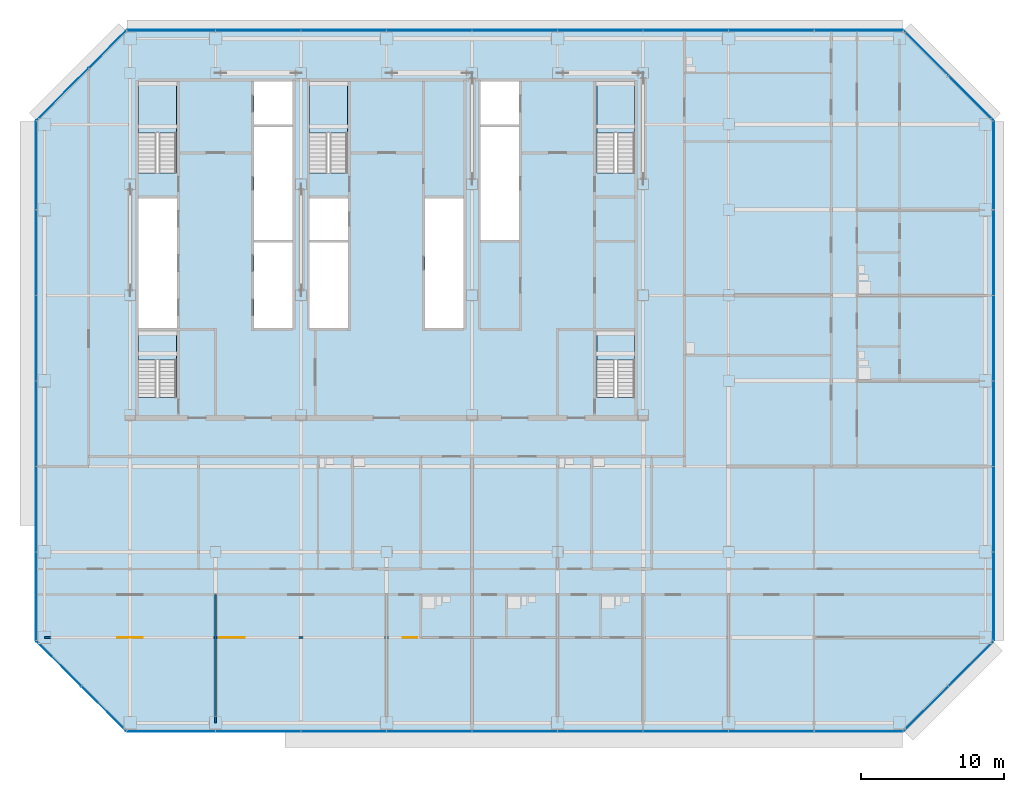
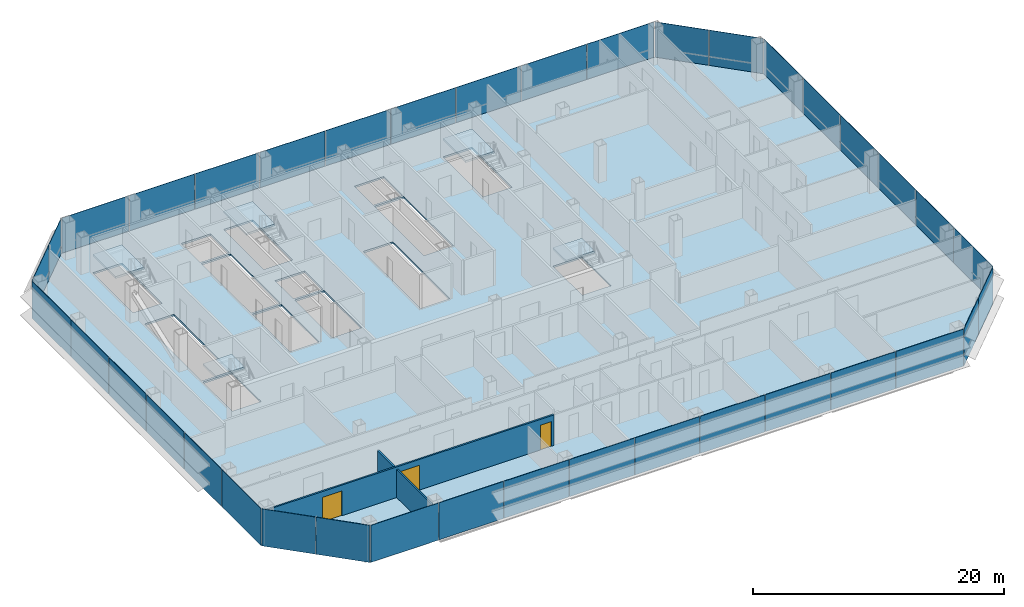
# One storey, part 19 of 26: 38 plates, 6 slabs, 3 doors, 2 walls, 3 openings, 13 elements without a shape of their own.
"""IFC4 building model written with IfcOpenShell, lengths in metres."""

from ifc_helpers import new_model, si_unit, direction, frame, frame_2d, origin, origin_2d, place, context, subcontext, project, spatial, polyline, rectangle, outline, extrude, material, layer, layer_set, type_object, element, fill, aggregate, save


model = new_model("IFC4")

# Units and contexts
model_context = context("Model", 3, precision=1e-05, world=origin(), true_north=direction((0.0, 1.0)))
body_context = subcontext(model_context, "Body", "Model", "MODEL_VIEW")
ifc_project = project(units=[si_unit("LENGTHUNIT", "METRE"), si_unit("AREAUNIT", "SQUARE_METRE"), si_unit("VOLUMEUNIT", "CUBIC_METRE"), si_unit("PLANEANGLEUNIT", "RADIAN"), si_unit("MASSUNIT", "GRAM", prefix="KILO")], contexts=[model_context])

# Site, building, storey
site_placement = place(None, origin())
site = spatial("IfcSite", under=ifc_project, at=site_placement, CompositionType="ELEMENT")
building_placement = place(site_placement, origin())
building = spatial("IfcBuilding", under=site, at=building_placement, Name="Sorahane Residences", CompositionType="ELEMENT")
storey_placement = place(building_placement, frame((0.0, 0.0, 64.199951171875)))
storey = spatial("IfcBuildingStorey", under=building, at=storey_placement, Name="L12", CompositionType="ELEMENT", Elevation=64.199951171875)

# Slab
ifc_material_1 = material(Name="Concrete C35", Category="concrete")
ifc_layer_1 = layer(ifc_material_1, 0.179931640625)
ifc_layer_set_1 = layer_set([ifc_layer_1], Name="Composite floor slab 180 mm Concrete C35")
slab_type_1 = type_object("IfcSlabType", Name="Composite floor slab 180 mm Concrete C35", PredefinedType="FLOOR", material=ifc_layer_set_1)
slab_1_placement = place(storey_placement, frame((0.0, 0.0, -0.179931640625)))
element("IfcSlab", 1, at=slab_1_placement, inside=storey, type_object=slab_type_1, Name="Slab L12", PredefinedType="FLOOR", context=body_context, shape_type="SweptSolid", body=[
    extrude(outline(polyline([(5.75146484375, -0.60009765625), (-0.60009765625, 5.75146484375), (-0.60009765625, 42.24853515625), (5.75146484375, 48.60009765625), (60.24853515625, 48.60009765625), (66.60009765625, 42.24853515625), (66.60009765625, 5.75146484375), (60.24853515625, -0.60009765625), (5.75146484375, -0.60009765625)]), holes=[polyline([(18.60009765625, 27.699951171875), (21.300048828125, 27.699951171875), (21.300048828125, 33.699951171875), (18.60009765625, 33.699951171875), (18.60009765625, 27.699951171875)]), polyline([(30.60009765625, 42.0), (33.300048828125, 42.0), (33.300048828125, 45.0), (30.60009765625, 45.0), (30.60009765625, 42.0)]), polyline([(14.699951171875, 27.699951171875), (17.39990234375, 27.699951171875), (17.39990234375, 33.699951171875), (14.699951171875, 33.699951171875), (14.699951171875, 27.699951171875)]), polyline([(14.699951171875, 42.0), (17.39990234375, 42.0), (17.39990234375, 45.0), (14.699951171875, 45.0), (14.699951171875, 42.0)]), polyline([(6.60009765625, 27.699951171875), (9.300048828125, 27.699951171875), (9.300048828125, 36.800048828125), (6.60009765625, 36.800048828125), (6.60009765625, 27.699951171875)]), polyline([(9.25, 38.60009765625), (9.25, 45.0), (6.60009765625, 45.0), (6.60009765625, 38.60009765625), (9.25, 38.60009765625)]), polyline([(41.39990234375, 38.60009765625), (41.39990234375, 45.0), (38.75, 45.0), (38.75, 38.60009765625), (41.39990234375, 38.60009765625)]), polyline([(21.25, 38.60009765625), (21.25, 45.0), (18.60009765625, 45.0), (18.60009765625, 38.60009765625), (21.25, 38.60009765625)]), polyline([(9.25, 22.85009765625), (9.25, 27.5), (6.60009765625, 27.5), (6.60009765625, 22.85009765625), (9.25, 22.85009765625)]), polyline([(41.39990234375, 22.85009765625), (41.39990234375, 27.5), (38.75, 27.5), (38.75, 22.85009765625), (41.39990234375, 22.85009765625)]), polyline([(14.699951171875, 33.89990234375), (17.39990234375, 33.89990234375), (17.39990234375, 41.800048828125), (14.699951171875, 41.800048828125), (14.699951171875, 33.89990234375)]), polyline([(30.60009765625, 33.89990234375), (33.300048828125, 33.89990234375), (33.300048828125, 41.800048828125), (30.60009765625, 41.800048828125), (30.60009765625, 33.89990234375)]), polyline([(18.60009765625, 33.89990234375), (21.300048828125, 33.89990234375), (21.300048828125, 36.800048828125), (18.60009765625, 36.800048828125), (18.60009765625, 33.89990234375)]), polyline([(26.699951171875, 27.699951171875), (29.39990234375, 27.699951171875), (29.39990234375, 36.800048828125), (26.699951171875, 36.800048828125), (26.699951171875, 27.699951171875)])]), origin(), (0.0, 0.0, 1.0), 0.179931640625),
])

# Curtain wall, plates
ifc_material_2 = material(Name="Dark low-e glass and black anodised aluminium", Category="aluminium")
curtain_wall_type_1 = type_object("IfcCurtainWallType", Name="Curtain wall CW-1 Typical unitised wall", PredefinedType="NOTDEFINED", material=ifc_material_2)
curtain_wall_1_placement = place(storey_placement, origin())
curtain_wall_1 = element("IfcCurtainWall", 2, at=curtain_wall_1_placement, inside=storey, type_object=curtain_wall_type_1, Name="CW-1 curtain wall L12 S1", PredefinedType="NOTDEFINED")
ifc_material_3 = material(Name="Dark low-e glass with black ceramic frit", Category="glass")
ifc_layer_2 = layer(ifc_material_3, 0.0400390625)
ifc_layer_set_2 = layer_set([ifc_layer_2], Name="Curtain wall glass panel dark low-e with black frit spandrel band")
plate_type = type_object("IfcPlateType", Name="Curtain wall glass panel dark low-e with black frit spandrel band", PredefinedType="CURTAIN_PANEL", material=ifc_layer_set_2)
plate_1_placement = place(storey_placement, frame((8.88818359375, -0.60009765625, -0.179931640625), z_axis=(0.0, 0.0, 1.0), x_axis=(1.0, 0.0, 0.0)))
plate_1 = element("IfcPlate", 3, at=plate_1_placement, type_object=plate_type, Name="CW-1 glass panel L12 S1.1", PredefinedType="CURTAIN_PANEL", context=body_context, shape_type="SweptSolid", body=[
    extrude(rectangle(XDim=6.173583984375, YDim=0.0400390625, at=origin_2d()), origin(), (0.0, 0.0, 1.0), 3.60009765625),
])
plate_2_placement = place(storey_placement, frame((15.0, -0.60009765625, -0.179931640625), z_axis=(0.0, 0.0, 1.0), x_axis=(1.0, 0.0, 0.0)))
plate_2 = element("IfcPlate", 4, at=plate_2_placement, type_object=plate_type, Name="CW-1 glass panel L12 S1.2", PredefinedType="CURTAIN_PANEL", context=body_context, shape_type="SweptSolid", body=[
    extrude(rectangle(XDim=5.949951171875, YDim=0.0400390625, at=origin_2d()), origin(), (0.0, 0.0, 1.0), 3.60009765625),
])
plate_3_placement = place(storey_placement, frame((21.0, -0.60009765625, -0.179931640625), z_axis=(0.0, 0.0, 1.0), x_axis=(1.0, 0.0, 0.0)))
plate_3 = element("IfcPlate", 5, at=plate_3_placement, type_object=plate_type, Name="CW-1 glass panel L12 S1.3", PredefinedType="CURTAIN_PANEL", context=body_context, shape_type="SweptSolid", body=[
    extrude(rectangle(XDim=5.949951171875, YDim=0.0400390625, at=origin_2d()), origin(), (0.0, 0.0, 1.0), 3.60009765625),
])
plate_4_placement = place(storey_placement, frame((27.0, -0.60009765625, -0.179931640625), z_axis=(0.0, 0.0, 1.0), x_axis=(1.0, 0.0, 0.0)))
plate_4 = element("IfcPlate", 6, at=plate_4_placement, type_object=plate_type, Name="CW-1 glass panel L12 S1.4", PredefinedType="CURTAIN_PANEL", context=body_context, shape_type="SweptSolid", body=[
    extrude(rectangle(XDim=5.949951171875, YDim=0.0400390625, at=origin_2d()), origin(), (0.0, 0.0, 1.0), 3.60009765625),
])
plate_5_placement = place(storey_placement, frame((33.0, -0.60009765625, -0.179931640625), z_axis=(0.0, 0.0, 1.0), x_axis=(1.0, 0.0, 0.0)))
plate_5 = element("IfcPlate", 7, at=plate_5_placement, type_object=plate_type, Name="CW-1 glass panel L12 S1.5", PredefinedType="CURTAIN_PANEL", context=body_context, shape_type="SweptSolid", body=[
    extrude(rectangle(XDim=5.949951171875, YDim=0.0400390625, at=origin_2d()), origin(), (0.0, 0.0, 1.0), 3.60009765625),
])
plate_6_placement = place(storey_placement, frame((39.0, -0.60009765625, -0.179931640625), z_axis=(0.0, 0.0, 1.0), x_axis=(1.0, 0.0, 0.0)))
plate_6 = element("IfcPlate", 8, at=plate_6_placement, type_object=plate_type, Name="CW-1 glass panel L12 S1.6", PredefinedType="CURTAIN_PANEL", context=body_context, shape_type="SweptSolid", body=[
    extrude(rectangle(XDim=5.949951171875, YDim=0.0400390625, at=origin_2d()), origin(), (0.0, 0.0, 1.0), 3.60009765625),
])
plate_7_placement = place(storey_placement, frame((45.0, -0.60009765625, -0.179931640625), z_axis=(0.0, 0.0, 1.0), x_axis=(1.0, 0.0, 0.0)))
plate_7 = element("IfcPlate", 9, at=plate_7_placement, type_object=plate_type, Name="CW-1 glass panel L12 S1.7", PredefinedType="CURTAIN_PANEL", context=body_context, shape_type="SweptSolid", body=[
    extrude(rectangle(XDim=5.949951171875, YDim=0.0400390625, at=origin_2d()), origin(), (0.0, 0.0, 1.0), 3.60009765625),
])
plate_8_placement = place(storey_placement, frame((51.0, -0.60009765625, -0.179931640625), z_axis=(0.0, 0.0, 1.0), x_axis=(1.0, 0.0, 0.0)))
plate_8 = element("IfcPlate", 10, at=plate_8_placement, type_object=plate_type, Name="CW-1 glass panel L12 S1.8", PredefinedType="CURTAIN_PANEL", context=body_context, shape_type="SweptSolid", body=[
    extrude(rectangle(XDim=5.949951171875, YDim=0.0400390625, at=origin_2d()), origin(), (0.0, 0.0, 1.0), 3.60009765625),
])
plate_9_placement = place(storey_placement, frame((57.11181640625, -0.60009765625, -0.179931640625), z_axis=(0.0, 0.0, 1.0), x_axis=(1.0, 0.0, 0.0)))
plate_9 = element("IfcPlate", 11, at=plate_9_placement, type_object=plate_type, Name="CW-1 glass panel L12 S1.9", PredefinedType="CURTAIN_PANEL", context=body_context, shape_type="SweptSolid", body=[
    extrude(rectangle(XDim=6.173583984375, YDim=0.0400390625, at=origin_2d()), origin(), (0.0, 0.0, 1.0), 3.60009765625),
])
aggregate(curtain_wall_1, [plate_1, plate_2, plate_3, plate_4, plate_5, plate_6, plate_7, plate_8, plate_9])

ifc_material_4 = material(Name="Dark low-e glass and black anodised aluminium", Category="aluminium")
curtain_wall_type_2 = type_object("IfcCurtainWallType", Name="Curtain wall CW-2 Chamfer unitised wall", PredefinedType="NOTDEFINED", material=ifc_material_4)
curtain_wall_2_placement = place(storey_placement, origin())
curtain_wall_2 = element("IfcCurtainWall", 12, at=curtain_wall_2_placement, inside=storey, type_object=curtain_wall_type_2, Name="CW-2 curtain wall L12 SE1", PredefinedType="NOTDEFINED")
plate_10_placement = place(storey_placement, frame((61.84521484375, 0.996826171875, -0.179931640625), z_axis=(0.0, 0.0, 1.0), x_axis=(0.707106781187, 0.707106781187, 0.0)))
plate_10 = element("IfcPlate", 13, at=plate_10_placement, type_object=plate_type, Name="CW-2 glass panel L12 SE1.1", PredefinedType="CURTAIN_PANEL", context=body_context, shape_type="SweptSolid", body=[
    extrude(rectangle(XDim=4.416259765625, YDim=0.0400390625, at=origin_2d()), origin(), (0.0, 0.0, 1.0), 3.60009765625),
])
plate_11_placement = place(storey_placement, frame((65.003173828125, 4.15478515625, -0.179931640625), z_axis=(0.0, 0.0, 1.0), x_axis=(0.707106781187, 0.707106781187, 0.0)))
plate_11 = element("IfcPlate", 14, at=plate_11_placement, type_object=plate_type, Name="CW-2 glass panel L12 SE1.2", PredefinedType="CURTAIN_PANEL", context=body_context, shape_type="SweptSolid", body=[
    extrude(rectangle(XDim=4.416259765625, YDim=0.0400390625, at=origin_2d()), origin(), (0.0, 0.0, 1.0), 3.60009765625),
])
aggregate(curtain_wall_2, [plate_10, plate_11])

curtain_wall_3_placement = place(storey_placement, origin())
curtain_wall_3 = element("IfcCurtainWall", 15, at=curtain_wall_3_placement, inside=storey, type_object=curtain_wall_type_1, Name="CW-1 curtain wall L12 E1", PredefinedType="NOTDEFINED")
plate_12_placement = place(storey_placement, frame((66.60009765625, 8.88818359375, -0.179931640625), z_axis=(0.0, 0.0, 1.0), x_axis=(0.0, 1.0, 0.0)))
plate_12 = element("IfcPlate", 16, at=plate_12_placement, type_object=plate_type, Name="CW-1 glass panel L12 E1.1", PredefinedType="CURTAIN_PANEL", context=body_context, shape_type="SweptSolid", body=[
    extrude(rectangle(XDim=6.173583984375, YDim=0.0400390625, at=origin_2d()), origin(), (0.0, 0.0, 1.0), 3.60009765625),
])
plate_13_placement = place(storey_placement, frame((66.60009765625, 15.0, -0.179931640625), z_axis=(0.0, 0.0, 1.0), x_axis=(0.0, 1.0, 0.0)))
plate_13 = element("IfcPlate", 17, at=plate_13_placement, type_object=plate_type, Name="CW-1 glass panel L12 E1.2", PredefinedType="CURTAIN_PANEL", context=body_context, shape_type="SweptSolid", body=[
    extrude(rectangle(XDim=5.949951171875, YDim=0.0400390625, at=origin_2d()), origin(), (0.0, 0.0, 1.0), 3.60009765625),
])
plate_14_placement = place(storey_placement, frame((66.60009765625, 21.0, -0.179931640625), z_axis=(0.0, 0.0, 1.0), x_axis=(0.0, 1.0, 0.0)))
plate_14 = element("IfcPlate", 18, at=plate_14_placement, type_object=plate_type, Name="CW-1 glass panel L12 E1.3", PredefinedType="CURTAIN_PANEL", context=body_context, shape_type="SweptSolid", body=[
    extrude(rectangle(XDim=5.949951171875, YDim=0.0400390625, at=origin_2d()), origin(), (0.0, 0.0, 1.0), 3.60009765625),
])
plate_15_placement = place(storey_placement, frame((66.60009765625, 27.0, -0.179931640625), z_axis=(0.0, 0.0, 1.0), x_axis=(0.0, 1.0, 0.0)))
plate_15 = element("IfcPlate", 19, at=plate_15_placement, type_object=plate_type, Name="CW-1 glass panel L12 E1.4", PredefinedType="CURTAIN_PANEL", context=body_context, shape_type="SweptSolid", body=[
    extrude(rectangle(XDim=5.949951171875, YDim=0.0400390625, at=origin_2d()), origin(), (0.0, 0.0, 1.0), 3.60009765625),
])
plate_16_placement = place(storey_placement, frame((66.60009765625, 33.0, -0.179931640625), z_axis=(0.0, 0.0, 1.0), x_axis=(0.0, 1.0, 0.0)))
plate_16 = element("IfcPlate", 20, at=plate_16_placement, type_object=plate_type, Name="CW-1 glass panel L12 E1.5", PredefinedType="CURTAIN_PANEL", context=body_context, shape_type="SweptSolid", body=[
    extrude(rectangle(XDim=5.949951171875, YDim=0.0400390625, at=origin_2d()), origin(), (0.0, 0.0, 1.0), 3.60009765625),
])
plate_17_placement = place(storey_placement, frame((66.60009765625, 39.11181640625, -0.179931640625), z_axis=(0.0, 0.0, 1.0), x_axis=(0.0, 1.0, 0.0)))
plate_17 = element("IfcPlate", 21, at=plate_17_placement, type_object=plate_type, Name="CW-1 glass panel L12 E1.6", PredefinedType="CURTAIN_PANEL", context=body_context, shape_type="SweptSolid", body=[
    extrude(rectangle(XDim=6.173583984375, YDim=0.0400390625, at=origin_2d()), origin(), (0.0, 0.0, 1.0), 3.60009765625),
])
aggregate(curtain_wall_3, [plate_12, plate_13, plate_14, plate_15, plate_16, plate_17])

curtain_wall_4_placement = place(storey_placement, origin())
curtain_wall_4 = element("IfcCurtainWall", 22, at=curtain_wall_4_placement, inside=storey, type_object=curtain_wall_type_2, Name="CW-2 curtain wall L12 NE1", PredefinedType="NOTDEFINED")
plate_18_placement = place(storey_placement, frame((65.003173828125, 43.84521484375, -0.179931640625), z_axis=(0.0, 0.0, 1.0), x_axis=(-0.707106781187, 0.707106781187, 0.0)))
plate_18 = element("IfcPlate", 23, at=plate_18_placement, type_object=plate_type, Name="CW-2 glass panel L12 NE1.1", PredefinedType="CURTAIN_PANEL", context=body_context, shape_type="SweptSolid", body=[
    extrude(rectangle(XDim=4.416259765625, YDim=0.0400390625, at=origin_2d()), origin(), (0.0, 0.0, 1.0), 3.60009765625),
])
plate_19_placement = place(storey_placement, frame((61.84521484375, 47.003173828125, -0.179931640625), z_axis=(0.0, 0.0, 1.0), x_axis=(-0.707106781187, 0.707106781187, 0.0)))
plate_19 = element("IfcPlate", 24, at=plate_19_placement, type_object=plate_type, Name="CW-2 glass panel L12 NE1.2", PredefinedType="CURTAIN_PANEL", context=body_context, shape_type="SweptSolid", body=[
    extrude(rectangle(XDim=4.416259765625, YDim=0.0400390625, at=origin_2d()), origin(), (0.0, 0.0, 1.0), 3.60009765625),
])
aggregate(curtain_wall_4, [plate_18, plate_19])

curtain_wall_5_placement = place(storey_placement, origin())
curtain_wall_5 = element("IfcCurtainWall", 25, at=curtain_wall_5_placement, inside=storey, type_object=curtain_wall_type_1, Name="CW-1 curtain wall L12 N1", PredefinedType="NOTDEFINED")
plate_20_placement = place(storey_placement, frame((57.11181640625, 48.60009765625, -0.179931640625), z_axis=(0.0, 0.0, 1.0), x_axis=(-1.0, 0.0, 0.0)))
plate_20 = element("IfcPlate", 26, at=plate_20_placement, type_object=plate_type, Name="CW-1 glass panel L12 N1.1", PredefinedType="CURTAIN_PANEL", context=body_context, shape_type="SweptSolid", body=[
    extrude(rectangle(XDim=6.173583984375, YDim=0.0400390625, at=origin_2d()), origin(), (0.0, 0.0, 1.0), 3.60009765625),
])
plate_21_placement = place(storey_placement, frame((51.0, 48.60009765625, -0.179931640625), z_axis=(0.0, 0.0, 1.0), x_axis=(-1.0, 0.0, 0.0)))
plate_21 = element("IfcPlate", 27, at=plate_21_placement, type_object=plate_type, Name="CW-1 glass panel L12 N1.2", PredefinedType="CURTAIN_PANEL", context=body_context, shape_type="SweptSolid", body=[
    extrude(rectangle(XDim=5.949951171875, YDim=0.0400390625, at=origin_2d()), origin(), (0.0, 0.0, 1.0), 3.60009765625),
])
plate_22_placement = place(storey_placement, frame((45.0, 48.60009765625, -0.179931640625), z_axis=(0.0, 0.0, 1.0), x_axis=(-1.0, 0.0, 0.0)))
plate_22 = element("IfcPlate", 28, at=plate_22_placement, type_object=plate_type, Name="CW-1 glass panel L12 N1.3", PredefinedType="CURTAIN_PANEL", context=body_context, shape_type="SweptSolid", body=[
    extrude(rectangle(XDim=5.949951171875, YDim=0.0400390625, at=origin_2d()), origin(), (0.0, 0.0, 1.0), 3.60009765625),
])
plate_23_placement = place(storey_placement, frame((39.0, 48.60009765625, -0.179931640625), z_axis=(0.0, 0.0, 1.0), x_axis=(-1.0, 0.0, 0.0)))
plate_23 = element("IfcPlate", 29, at=plate_23_placement, type_object=plate_type, Name="CW-1 glass panel L12 N1.4", PredefinedType="CURTAIN_PANEL", context=body_context, shape_type="SweptSolid", body=[
    extrude(rectangle(XDim=5.949951171875, YDim=0.0400390625, at=origin_2d()), origin(), (0.0, 0.0, 1.0), 3.60009765625),
])
plate_24_placement = place(storey_placement, frame((33.0, 48.60009765625, -0.179931640625), z_axis=(0.0, 0.0, 1.0), x_axis=(-1.0, 0.0, 0.0)))
plate_24 = element("IfcPlate", 30, at=plate_24_placement, type_object=plate_type, Name="CW-1 glass panel L12 N1.5", PredefinedType="CURTAIN_PANEL", context=body_context, shape_type="SweptSolid", body=[
    extrude(rectangle(XDim=5.949951171875, YDim=0.0400390625, at=origin_2d()), origin(), (0.0, 0.0, 1.0), 3.60009765625),
])
plate_25_placement = place(storey_placement, frame((27.0, 48.60009765625, -0.179931640625), z_axis=(0.0, 0.0, 1.0), x_axis=(-1.0, 0.0, 0.0)))
plate_25 = element("IfcPlate", 31, at=plate_25_placement, type_object=plate_type, Name="CW-1 glass panel L12 N1.6", PredefinedType="CURTAIN_PANEL", context=body_context, shape_type="SweptSolid", body=[
    extrude(rectangle(XDim=5.949951171875, YDim=0.0400390625, at=origin_2d()), origin(), (0.0, 0.0, 1.0), 3.60009765625),
])
plate_26_placement = place(storey_placement, frame((21.0, 48.60009765625, -0.179931640625), z_axis=(0.0, 0.0, 1.0), x_axis=(-1.0, 0.0, 0.0)))
plate_26 = element("IfcPlate", 32, at=plate_26_placement, type_object=plate_type, Name="CW-1 glass panel L12 N1.7", PredefinedType="CURTAIN_PANEL", context=body_context, shape_type="SweptSolid", body=[
    extrude(rectangle(XDim=5.949951171875, YDim=0.0400390625, at=origin_2d()), origin(), (0.0, 0.0, 1.0), 3.60009765625),
])
plate_27_placement = place(storey_placement, frame((15.0, 48.60009765625, -0.179931640625), z_axis=(0.0, 0.0, 1.0), x_axis=(-1.0, 0.0, 0.0)))
plate_27 = element("IfcPlate", 33, at=plate_27_placement, type_object=plate_type, Name="CW-1 glass panel L12 N1.8", PredefinedType="CURTAIN_PANEL", context=body_context, shape_type="SweptSolid", body=[
    extrude(rectangle(XDim=5.949951171875, YDim=0.0400390625, at=origin_2d()), origin(), (0.0, 0.0, 1.0), 3.60009765625),
])
plate_28_placement = place(storey_placement, frame((8.88818359375, 48.60009765625, -0.179931640625), z_axis=(0.0, 0.0, 1.0), x_axis=(-1.0, 0.0, 0.0)))
plate_28 = element("IfcPlate", 34, at=plate_28_placement, type_object=plate_type, Name="CW-1 glass panel L12 N1.9", PredefinedType="CURTAIN_PANEL", context=body_context, shape_type="SweptSolid", body=[
    extrude(rectangle(XDim=6.173583984375, YDim=0.0400390625, at=origin_2d()), origin(), (0.0, 0.0, 1.0), 3.60009765625),
])
aggregate(curtain_wall_5, [plate_20, plate_21, plate_22, plate_23, plate_24, plate_25, plate_26, plate_27, plate_28])

curtain_wall_6_placement = place(storey_placement, origin())
curtain_wall_6 = element("IfcCurtainWall", 35, at=curtain_wall_6_placement, inside=storey, type_object=curtain_wall_type_2, Name="CW-2 curtain wall L12 NW1", PredefinedType="NOTDEFINED")
plate_29_placement = place(storey_placement, frame((4.4169921875, 47.265625, -0.179931640625), z_axis=(0.0, 0.0, 1.0), x_axis=(-0.707106781187, -0.707106781187, 0.0)))
plate_29 = element("IfcPlate", 36, at=plate_29_placement, type_object=plate_type, Name="CW-2 glass panel L12 NW1.1", PredefinedType="CURTAIN_PANEL", context=body_context, shape_type="SweptSolid", body=[
    extrude(rectangle(XDim=3.67431640625, YDim=0.0400390625, at=origin_2d()), origin(), (0.0, 0.0, 1.0), 3.60009765625),
])
plate_30_placement = place(storey_placement, frame((1.259033203125, 44.107421875, -0.179931640625), z_axis=(0.0, 0.0, 1.0), x_axis=(-0.707106781187, -0.707106781187, 0.0)))
plate_30 = element("IfcPlate", 37, at=plate_30_placement, type_object=plate_type, Name="CW-2 glass panel L12 NW1.2", PredefinedType="CURTAIN_PANEL", context=body_context, shape_type="SweptSolid", body=[
    extrude(rectangle(XDim=5.157958984375, YDim=0.0400390625, at=origin_2d()), origin(), (0.0, 0.0, 1.0), 3.60009765625),
])
aggregate(curtain_wall_6, [plate_29, plate_30])

curtain_wall_7_placement = place(storey_placement, origin())
curtain_wall_7 = element("IfcCurtainWall", 38, at=curtain_wall_7_placement, inside=storey, type_object=curtain_wall_type_1, Name="CW-1 curtain wall L12 W1", PredefinedType="NOTDEFINED")
plate_31_placement = place(storey_placement, frame((-0.60009765625, 39.11181640625, -0.179931640625), z_axis=(0.0, 0.0, 1.0), x_axis=(0.0, -1.0, 0.0)))
plate_31 = element("IfcPlate", 39, at=plate_31_placement, type_object=plate_type, Name="CW-1 glass panel L12 W1.1", PredefinedType="CURTAIN_PANEL", context=body_context, shape_type="SweptSolid", body=[
    extrude(rectangle(XDim=6.173583984375, YDim=0.0400390625, at=origin_2d()), origin(), (0.0, 0.0, 1.0), 3.60009765625),
])
plate_32_placement = place(storey_placement, frame((-0.60009765625, 33.0, -0.179931640625), z_axis=(0.0, 0.0, 1.0), x_axis=(0.0, -1.0, 0.0)))
plate_32 = element("IfcPlate", 40, at=plate_32_placement, type_object=plate_type, Name="CW-1 glass panel L12 W1.2", PredefinedType="CURTAIN_PANEL", context=body_context, shape_type="SweptSolid", body=[
    extrude(rectangle(XDim=5.949951171875, YDim=0.0400390625, at=origin_2d()), origin(), (0.0, 0.0, 1.0), 3.60009765625),
])
plate_33_placement = place(storey_placement, frame((-0.60009765625, 27.0, -0.179931640625), z_axis=(0.0, 0.0, 1.0), x_axis=(0.0, -1.0, 0.0)))
plate_33 = element("IfcPlate", 41, at=plate_33_placement, type_object=plate_type, Name="CW-1 glass panel L12 W1.3", PredefinedType="CURTAIN_PANEL", context=body_context, shape_type="SweptSolid", body=[
    extrude(rectangle(XDim=5.949951171875, YDim=0.0400390625, at=origin_2d()), origin(), (0.0, 0.0, 1.0), 3.60009765625),
])
plate_34_placement = place(storey_placement, frame((-0.60009765625, 21.0, -0.179931640625), z_axis=(0.0, 0.0, 1.0), x_axis=(0.0, -1.0, 0.0)))
plate_34 = element("IfcPlate", 42, at=plate_34_placement, type_object=plate_type, Name="CW-1 glass panel L12 W1.4", PredefinedType="CURTAIN_PANEL", context=body_context, shape_type="SweptSolid", body=[
    extrude(rectangle(XDim=5.949951171875, YDim=0.0400390625, at=origin_2d()), origin(), (0.0, 0.0, 1.0), 3.60009765625),
])
plate_35_placement = place(storey_placement, frame((-0.60009765625, 15.0, -0.179931640625), z_axis=(0.0, 0.0, 1.0), x_axis=(0.0, -1.0, 0.0)))
plate_35 = element("IfcPlate", 43, at=plate_35_placement, type_object=plate_type, Name="CW-1 glass panel L12 W1.5", PredefinedType="CURTAIN_PANEL", context=body_context, shape_type="SweptSolid", body=[
    extrude(rectangle(XDim=5.949951171875, YDim=0.0400390625, at=origin_2d()), origin(), (0.0, 0.0, 1.0), 3.60009765625),
])
plate_36_placement = place(storey_placement, frame((-0.60009765625, 8.88818359375, -0.179931640625), z_axis=(0.0, 0.0, 1.0), x_axis=(0.0, -1.0, 0.0)))
plate_36 = element("IfcPlate", 44, at=plate_36_placement, type_object=plate_type, Name="CW-1 glass panel L12 W1.6", PredefinedType="CURTAIN_PANEL", context=body_context, shape_type="SweptSolid", body=[
    extrude(rectangle(XDim=6.173583984375, YDim=0.0400390625, at=origin_2d()), origin(), (0.0, 0.0, 1.0), 3.60009765625),
])
aggregate(curtain_wall_7, [plate_31, plate_32, plate_33, plate_34, plate_35, plate_36])

curtain_wall_8_placement = place(storey_placement, origin())
curtain_wall_8 = element("IfcCurtainWall", 45, at=curtain_wall_8_placement, inside=storey, type_object=curtain_wall_type_2, Name="CW-2 curtain wall L12 SW1", PredefinedType="NOTDEFINED")
plate_37_placement = place(storey_placement, frame((0.996826171875, 4.15478515625, -0.179931640625), z_axis=(0.0, 0.0, 1.0), x_axis=(0.707106781187, -0.707106781187, 0.0)))
plate_37 = element("IfcPlate", 46, at=plate_37_placement, type_object=plate_type, Name="CW-2 glass panel L12 SW1.1", PredefinedType="CURTAIN_PANEL", context=body_context, shape_type="SweptSolid", body=[
    extrude(rectangle(XDim=4.416259765625, YDim=0.0400390625, at=origin_2d()), origin(), (0.0, 0.0, 1.0), 3.60009765625),
])
plate_38_placement = place(storey_placement, frame((4.15478515625, 0.996826171875, -0.179931640625), z_axis=(0.0, 0.0, 1.0), x_axis=(0.707106781187, -0.707106781187, 0.0)))
plate_38 = element("IfcPlate", 47, at=plate_38_placement, type_object=plate_type, Name="CW-2 glass panel L12 SW1.2", PredefinedType="CURTAIN_PANEL", context=body_context, shape_type="SweptSolid", body=[
    extrude(rectangle(XDim=4.416259765625, YDim=0.0400390625, at=origin_2d()), origin(), (0.0, 0.0, 1.0), 3.60009765625),
])
aggregate(curtain_wall_8, [plate_37, plate_38])

# Stair, slab
ifc_material_5 = material(Name="Concrete C40", Category="concrete")
stair_type = type_object("IfcStairType", Name="Dog-leg stair 1250 Concrete C40", PredefinedType="HALF_TURN_STAIR", material=ifc_material_5)
stair_1_placement = place(storey_placement, origin())
stair_1 = element("IfcStair", 48, at=stair_1_placement, inside=storey, type_object=stair_type, Name="L12 Stair S1", PredefinedType="HALF_TURN_STAIR")
ifc_material_6 = material(Name="Concrete C40", Category="concrete")
ifc_layer_3 = layer(ifc_material_6, 0.199951171875)
ifc_layer_set_3 = layer_set([ifc_layer_3], Name="Stair landing 200 Concrete C40")
slab_type_2 = type_object("IfcSlabType", Name="Stair landing 200 Concrete C40", PredefinedType="LANDING", material=ifc_layer_set_3)
slab_2_placement = place(storey_placement, frame((0.0, 0.0, 1.60009765625)))
slab_2 = element("IfcSlab", 49, at=slab_2_placement, type_object=slab_type_2, Name="S1 landing 1", PredefinedType="LANDING", context=body_context, shape_type="SweptSolid", body=[
    extrude(outline(polyline([(9.25, 41.39990234375), (9.25, 45.0), (6.60009765625, 45.0), (6.60009765625, 41.39990234375), (9.25, 41.39990234375)])), origin(), (0.0, 0.0, 1.0), 0.199951171875),
])
aggregate(stair_1, [slab_2])

stair_2_placement = place(storey_placement, origin())
stair_2 = element("IfcStair", 50, at=stair_2_placement, inside=storey, type_object=stair_type, Name="L12 Stair S2", PredefinedType="HALF_TURN_STAIR")
slab_3_placement = place(storey_placement, frame((0.0, 0.0, 1.60009765625)))
slab_3 = element("IfcSlab", 51, at=slab_3_placement, type_object=slab_type_2, Name="S2 landing 1", PredefinedType="LANDING", context=body_context, shape_type="SweptSolid", body=[
    extrude(outline(polyline([(41.39990234375, 41.39990234375), (41.39990234375, 45.0), (38.75, 45.0), (38.75, 41.39990234375), (41.39990234375, 41.39990234375)])), origin(), (0.0, 0.0, 1.0), 0.199951171875),
])
aggregate(stair_2, [slab_3])

stair_3_placement = place(storey_placement, origin())
stair_3 = element("IfcStair", 52, at=stair_3_placement, inside=storey, type_object=stair_type, Name="L12 Stair S3", PredefinedType="HALF_TURN_STAIR")
slab_4_placement = place(storey_placement, frame((0.0, 0.0, 1.60009765625)))
slab_4 = element("IfcSlab", 53, at=slab_4_placement, type_object=slab_type_2, Name="S3 landing 1", PredefinedType="LANDING", context=body_context, shape_type="SweptSolid", body=[
    extrude(outline(polyline([(21.25, 41.39990234375), (21.25, 45.0), (18.60009765625, 45.0), (18.60009765625, 41.39990234375), (21.25, 41.39990234375)])), origin(), (0.0, 0.0, 1.0), 0.199951171875),
])
aggregate(stair_3, [slab_4])

stair_4_placement = place(storey_placement, origin())
stair_4 = element("IfcStair", 54, at=stair_4_placement, inside=storey, type_object=stair_type, Name="L12 Stair S4", PredefinedType="HALF_TURN_STAIR")
slab_5_placement = place(storey_placement, frame((0.0, 0.0, 1.60009765625)))
slab_5 = element("IfcSlab", 55, at=slab_5_placement, type_object=slab_type_2, Name="S4 landing 1", PredefinedType="LANDING", context=body_context, shape_type="SweptSolid", body=[
    extrude(outline(polyline([(9.25, 25.449951171875), (9.25, 27.5), (6.60009765625, 27.5), (6.60009765625, 25.449951171875), (9.25, 25.449951171875)])), origin(), (0.0, 0.0, 1.0), 0.199951171875),
])
aggregate(stair_4, [slab_5])

stair_5_placement = place(storey_placement, origin())
stair_5 = element("IfcStair", 56, at=stair_5_placement, inside=storey, type_object=stair_type, Name="L12 Stair S5", PredefinedType="HALF_TURN_STAIR")
slab_6_placement = place(storey_placement, frame((0.0, 0.0, 1.60009765625)))
slab_6 = element("IfcSlab", 57, at=slab_6_placement, type_object=slab_type_2, Name="S5 landing 1", PredefinedType="LANDING", context=body_context, shape_type="SweptSolid", body=[
    extrude(outline(polyline([(41.39990234375, 25.449951171875), (41.39990234375, 27.5), (38.75, 27.5), (38.75, 25.449951171875), (41.39990234375, 25.449951171875)])), origin(), (0.0, 0.0, 1.0), 0.199951171875),
])
aggregate(stair_5, [slab_6])

# Wall
ifc_material_7 = material(Name="Gypsum board partition on steel studs", Category="steel")
ifc_layer_4 = layer(ifc_material_7, 0.14990234375)
ifc_layer_set_4 = layer_set([ifc_layer_4], Name="Partition 150 EI 90")
wall_type = type_object("IfcWallType", Name="Partition 150 EI 90", PredefinedType="PARTITIONING", material=ifc_layer_set_4)
wall_1_placement = place(storey_placement, frame((12.0, 0.0, 0.0), z_axis=(0.0, 0.0, 1.0), x_axis=(0.0, 1.0, 0.0)))
element("IfcWall", 58, at=wall_1_placement, inside=storey, type_object=wall_type, Name="L12 partition", PredefinedType="PARTITIONING", context=body_context, shape_type="SweptSolid", body=[
    extrude(rectangle(XDim=9.0, YDim=0.14990234375, at=frame_2d((4.5, 0.0))), origin(), (0.0, 0.0, 1.0), 2.719970703125),
])

# Wall, openings, doors
wall_2_placement = place(storey_placement, frame((0.0, 6.0, 0.0), z_axis=(0.0, 0.0, 1.0), x_axis=(1.0, 0.0, 0.0)))
wall_2 = element("IfcWall", 59, at=wall_2_placement, inside=storey, type_object=wall_type, Name="L12 partition", PredefinedType="PARTITIONING", context=body_context, shape_type="SweptSolid", body=[
    extrude(rectangle(XDim=26.39990234375, YDim=0.14990234375, at=frame_2d((13.199951171875, 0.0))), origin(), (0.0, 0.0, 1.0), 2.969970703125),
])
opening_1_placement = place(wall_2_placement, frame((5.10009765625, 0.0, 0.0)))
opening_1 = element("IfcOpeningElement", 60, at=opening_1_placement, cuts=wall_2, Name="Opening L12-09", PredefinedType="OPENING", context=body_context, shape_type="SweptSolid", body=[
    extrude(rectangle(XDim=1.800048828125, YDim=2.39990234375, at=frame_2d((0.89990234375, 1.199951171875))), frame((0.0, 0.0849609375, 0.0), z_axis=(0.0, -1.0, 0.0), x_axis=(1.0, 0.0, 0.0)), (0.0, 0.0, 1.0), 0.169921875),
])
opening_2_placement = place(wall_2_placement, frame((12.25, 0.0, 0.0)))
opening_2 = element("IfcOpeningElement", 61, at=opening_2_placement, cuts=wall_2, Name="Opening L12-10", PredefinedType="OPENING", context=body_context, shape_type="SweptSolid", body=[
    extrude(rectangle(XDim=1.800048828125, YDim=2.39990234375, at=frame_2d((0.89990234375, 1.199951171875))), frame((0.0, 0.0849609375, 0.0), z_axis=(0.0, -1.0, 0.0), x_axis=(1.0, 0.0, 0.0)), (0.0, 0.0, 1.0), 0.169921875),
])
opening_3_placement = place(wall_2_placement, frame((25.14990234375, 0.0, 0.0)))
opening_3 = element("IfcOpeningElement", 62, at=opening_3_placement, cuts=wall_2, Name="Opening L12-11", PredefinedType="OPENING", context=body_context, shape_type="SweptSolid", body=[
    extrude(rectangle(XDim=1.0, YDim=2.39990234375, at=frame_2d((0.5, 1.199951171875))), frame((0.0, 0.0849609375, 0.0), z_axis=(0.0, -1.0, 0.0), x_axis=(1.0, 0.0, 0.0)), (0.0, 0.0, 1.0), 0.169921875),
])
ifc_material_8 = material(Name="Timber veneered fire door", Category="wood")
door_type_1 = type_object("IfcDoorType", Name="Double door 1800x2400 FD30", OperationType="NOTDEFINED", PredefinedType="DOOR", material=ifc_material_8)
door_1_placement = place(opening_1_placement, frame((1.800048828125, 0.0, 0.0), z_axis=(0.0, 0.0, 1.0), x_axis=(-1.0, 0.0, 0.0)))
door_1 = element("IfcDoor", 63, at=door_1_placement, inside=storey, type_object=door_type_1, Name="Double door L12-09", OperationType="SINGLE_SWING_LEFT", OverallHeight=2.39990234375, OverallWidth=1.800048828125, PredefinedType="DOOR", context=body_context, shape_type="SweptSolid", body=[
    extrude(rectangle(XDim=1.800048828125, YDim=2.39990234375, at=frame_2d((0.89990234375, 1.199951171875))), frame((0.0, 0.02490234375, 0.0), z_axis=(0.0, -1.0, 0.0), x_axis=(1.0, 0.0, 0.0)), (0.0, 0.0, 1.0), 0.050048828125),
])
fill(opening_1, door_1)
door_2_placement = place(opening_2_placement, frame((1.800048828125, 0.0, 0.0), z_axis=(0.0, 0.0, 1.0), x_axis=(-1.0, 0.0, 0.0)))
door_2 = element("IfcDoor", 64, at=door_2_placement, inside=storey, type_object=door_type_1, Name="Double door L12-10", OperationType="SINGLE_SWING_RIGHT", OverallHeight=2.39990234375, OverallWidth=1.800048828125, PredefinedType="DOOR", context=body_context, shape_type="SweptSolid", body=[
    extrude(rectangle(XDim=1.800048828125, YDim=2.39990234375, at=frame_2d((0.89990234375, 1.199951171875))), frame((0.0, 0.02490234375, 0.0), z_axis=(0.0, -1.0, 0.0), x_axis=(1.0, 0.0, 0.0)), (0.0, 0.0, 1.0), 0.050048828125),
])
fill(opening_2, door_2)
ifc_material_9 = material(Name="Timber veneered fire door", Category="wood")
door_type_2 = type_object("IfcDoorType", Name="Room door 1000x2400 FD30", OperationType="NOTDEFINED", PredefinedType="DOOR", material=ifc_material_9)
door_3_placement = place(opening_3_placement, frame((1.0, 0.0, 0.0), z_axis=(0.0, 0.0, 1.0), x_axis=(-1.0, 0.0, 0.0)))
door_3 = element("IfcDoor", 65, at=door_3_placement, inside=storey, type_object=door_type_2, Name="Room door L12-11", OperationType="SINGLE_SWING_LEFT", OverallHeight=2.39990234375, OverallWidth=1.0, PredefinedType="DOOR", context=body_context, shape_type="SweptSolid", body=[
    extrude(rectangle(XDim=1.0, YDim=2.39990234375, at=frame_2d((0.5, 1.199951171875))), frame((0.0, 0.02490234375, 0.0), z_axis=(0.0, -1.0, 0.0), x_axis=(1.0, 0.0, 0.0)), (0.0, 0.0, 1.0), 0.050048828125),
])
fill(opening_3, door_3)

save(model, "model.ifc")
